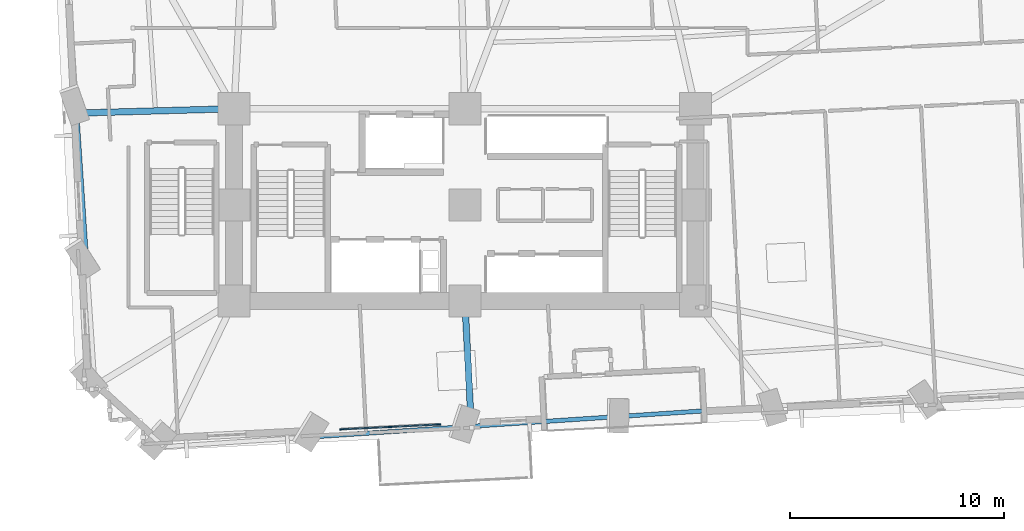
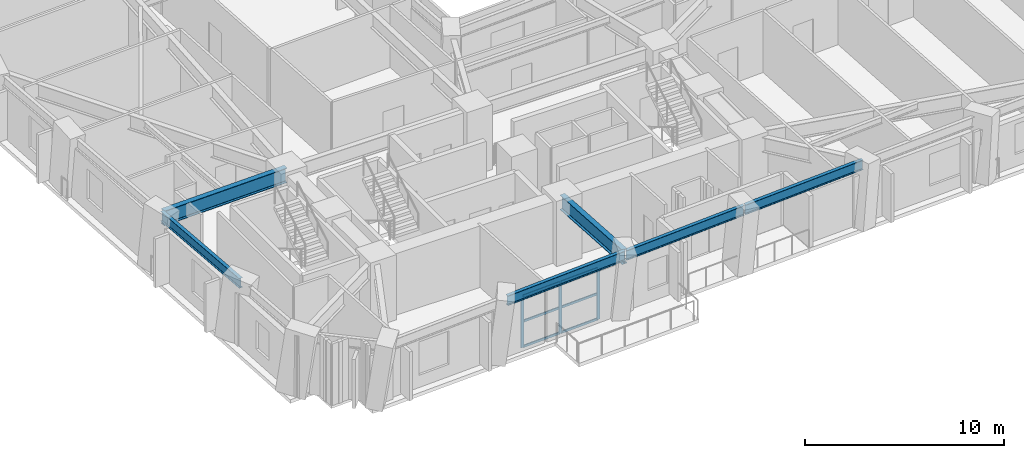
# One storey, part 2 of 15: 9 members, 6 beams, 1 element without a shape of its own.
"""IFC4 building model written with IfcOpenShell, lengths in metres."""

from ifc_helpers import new_model, si_unit, direction, frame, origin, origin_2d, place, context, subcontext, project, spatial, rectangle, i_section, extrude, material, material_profile, profile_set, type_object, element, aggregate, save


model = new_model("IFC4")

# Units and contexts
model_context = context("Model", 3, precision=1e-05, world=origin(), true_north=direction((0.0, 1.0)))
body_context = subcontext(model_context, "Body", "Model", "MODEL_VIEW")
ifc_project = project(units=[si_unit("LENGTHUNIT", "METRE"), si_unit("AREAUNIT", "SQUARE_METRE"), si_unit("VOLUMEUNIT", "CUBIC_METRE"), si_unit("PLANEANGLEUNIT", "RADIAN"), si_unit("MASSUNIT", "GRAM", prefix="KILO")], contexts=[model_context])

# Site, building, storey
site_placement = place(None, origin())
site = spatial("IfcSite", under=ifc_project, at=site_placement, CompositionType="ELEMENT")
building_placement = place(site_placement, origin())
building = spatial("IfcBuilding", under=site, at=building_placement, Name="Gaonmaruhae Medical Tower", CompositionType="ELEMENT")
storey_placement = place(building_placement, frame((0.0, 0.0, 35.0)))
storey = spatial("IfcBuildingStorey", under=building, at=storey_placement, Name="L07", CompositionType="ELEMENT", Elevation=35.0)

# Curtain wall, members
ifc_material_1 = material(Name="Anodised aluminium and Low-E double glazing", Category="aluminium")
curtain_wall_type = type_object("IfcCurtainWallType", Name="CW-S3 Spiralling Dayroom Ribbon Curtain Wall", PredefinedType="NOTDEFINED", material=ifc_material_1)
curtain_wall_placement = place(storey_placement, origin())
curtain_wall = element("IfcCurtainWall", 1, at=curtain_wall_placement, inside=storey, type_object=curtain_wall_type, Name="L07 Curtain Wall CW-L07-S02", PredefinedType="NOTDEFINED")
ifc_material_2 = material(Name="Anodised aluminium 6063-T6", Category="aluminium")
ifc_material_profile_1 = material_profile(ifc_material_2, rectangle(XDim=0.06494140625, YDim=0.179931640625, at=origin_2d()), Name="CWM-65x180")
ifc_profile_set_1 = profile_set([ifc_material_profile_1], Name="Anodised aluminium 6063-T6")
member_type_1 = type_object("IfcMemberType", Name="CWM-2 Tower Feature Curtain Wall Mullion (CWM-65x180)", PredefinedType="MULLION", material=ifc_profile_set_1)
member_1_placement = place(storey_placement, frame((23.577392578125, 2.0234375, 0.0), z_axis=(0.0, 0.0, 1.0), x_axis=(0.049718181949, -0.998763286462, 0.0)))
member_1 = element("IfcMember", 2, at=member_1_placement, type_object=member_type_1, Name="CW-S3 mullion 1", PredefinedType="MULLION", context=body_context, shape_type="SweptSolid", body=[
    extrude(rectangle(XDim=0.06494140625, YDim=0.179931640625, at=origin_2d()), origin(), (0.0, 0.0, 1.0), 3.1650390625),
])
member_2_placement = place(storey_placement, frame((21.3056640625, 1.910400390625, 0.0), z_axis=(0.0, 0.0, 1.0), x_axis=(0.049718181949, -0.998763286462, 0.0)))
member_2 = element("IfcMember", 3, at=member_2_placement, type_object=member_type_1, Name="CW-S3 mullion 2", PredefinedType="MULLION", context=body_context, shape_type="SweptSolid", body=[
    extrude(rectangle(XDim=0.06494140625, YDim=0.179931640625, at=origin_2d()), origin(), (0.0, 0.0, 1.0), 3.1650390625),
])
member_3_placement = place(storey_placement, frame((19.0341796875, 1.79736328125, 0.0), z_axis=(0.0, 0.0, 1.0), x_axis=(0.049718181949, -0.998763286462, 0.0)))
member_3 = element("IfcMember", 4, at=member_3_placement, type_object=member_type_1, Name="CW-S3 mullion 3", PredefinedType="MULLION", context=body_context, shape_type="SweptSolid", body=[
    extrude(rectangle(XDim=0.06494140625, YDim=0.179931640625, at=origin_2d()), origin(), (0.0, 0.0, 1.0), 3.1650390625),
])
ifc_material_profile_2 = material_profile(ifc_material_2, rectangle(XDim=0.06494140625, YDim=0.139892578125, at=origin_2d()), Name="CWT-65x140")
ifc_profile_set_2 = profile_set([ifc_material_profile_2], Name="Anodised aluminium 6063-T6")
member_type_2 = type_object("IfcMemberType", Name="CWT-2 Tower Feature Curtain Wall Transom (CWT-65x140)", PredefinedType="USERDEFINED", material=ifc_profile_set_2)
member_4_placement = place(storey_placement, frame((23.544921875, 2.02197265625, 0.032470703125), z_axis=(-0.998763062135, -0.049722688125, 0.0), x_axis=(0.049722688125, -0.998763062135, 0.0)))
member_4 = element("IfcMember", 5, at=member_4_placement, type_object=member_type_2, Name="CW-S3 transom 1.1", ObjectType="TRANSOM", PredefinedType="USERDEFINED", context=body_context, shape_type="SweptSolid", body=[
    extrude(rectangle(XDim=0.06494140625, YDim=0.139892578125, at=origin_2d()), origin(), (0.0, 0.0, 1.0), 2.20947265625),
])
member_5_placement = place(storey_placement, frame((23.544921875, 2.02197265625, 1.58251953125), z_axis=(-0.998763062135, -0.049722688125, 0.0), x_axis=(0.049722688125, -0.998763062135, 0.0)))
member_5 = element("IfcMember", 6, at=member_5_placement, type_object=member_type_2, Name="CW-S3 transom 1.2", ObjectType="TRANSOM", PredefinedType="USERDEFINED", context=body_context, shape_type="SweptSolid", body=[
    extrude(rectangle(XDim=0.06494140625, YDim=0.139892578125, at=origin_2d()), origin(), (0.0, 0.0, 1.0), 2.20947265625),
])
member_6_placement = place(storey_placement, frame((23.544921875, 2.02197265625, 3.132568359375), z_axis=(-0.998763062135, -0.049722688125, 0.0), x_axis=(0.049722688125, -0.998763062135, 0.0)))
member_6 = element("IfcMember", 7, at=member_6_placement, type_object=member_type_2, Name="CW-S3 transom 1.3", ObjectType="TRANSOM", PredefinedType="USERDEFINED", context=body_context, shape_type="SweptSolid", body=[
    extrude(rectangle(XDim=0.06494140625, YDim=0.139892578125, at=origin_2d()), origin(), (0.0, 0.0, 1.0), 2.20947265625),
])
member_7_placement = place(storey_placement, frame((21.273193359375, 1.90869140625, 0.032470703125), z_axis=(-0.998763062135, -0.049722688125, 0.0), x_axis=(0.049722688125, -0.998763062135, 0.0)))
member_7 = element("IfcMember", 8, at=member_7_placement, type_object=member_type_2, Name="CW-S3 transom 2.1", ObjectType="TRANSOM", PredefinedType="USERDEFINED", context=body_context, shape_type="SweptSolid", body=[
    extrude(rectangle(XDim=0.06494140625, YDim=0.139892578125, at=origin_2d()), origin(), (0.0, 0.0, 1.0), 2.20947265625),
])
member_8_placement = place(storey_placement, frame((21.273193359375, 1.90869140625, 1.58251953125), z_axis=(-0.998763062135, -0.049722688125, 0.0), x_axis=(0.049722688125, -0.998763062135, 0.0)))
member_8 = element("IfcMember", 9, at=member_8_placement, type_object=member_type_2, Name="CW-S3 transom 2.2", ObjectType="TRANSOM", PredefinedType="USERDEFINED", context=body_context, shape_type="SweptSolid", body=[
    extrude(rectangle(XDim=0.06494140625, YDim=0.139892578125, at=origin_2d()), origin(), (0.0, 0.0, 1.0), 2.20947265625),
])
member_9_placement = place(storey_placement, frame((21.273193359375, 1.90869140625, 3.132568359375), z_axis=(-0.998763062135, -0.049722688125, 0.0), x_axis=(0.049722688125, -0.998763062135, 0.0)))
member_9 = element("IfcMember", 10, at=member_9_placement, type_object=member_type_2, Name="CW-S3 transom 2.3", ObjectType="TRANSOM", PredefinedType="USERDEFINED", context=body_context, shape_type="SweptSolid", body=[
    extrude(rectangle(XDim=0.06494140625, YDim=0.139892578125, at=origin_2d()), origin(), (0.0, 0.0, 1.0), 2.20947265625),
])
aggregate(curtain_wall, [member_1, member_2, member_3, member_4, member_5, member_6, member_7, member_8, member_9])

# Beams
ifc_material_3 = material(Name="Steel SM420", Category="steel")
ifc_material_profile_3 = material_profile(ifc_material_3, i_section(OverallWidth=0.300048828125, OverallDepth=0.89990234375, WebThickness=0.01611328125, FlangeThickness=0.028076171875, FilletRadius=0.01806640625, at=origin_2d()), Name="H-900x300x16x28")
ifc_profile_set_3 = profile_set([ifc_material_profile_3], Name="Steel SM420")
beam_type_1 = type_object("IfcBeamType", Name="PG-01 Zone 1 Radial Floor Girder (H-900x300x16x28)", PredefinedType="BEAM", material=ifc_profile_set_3)
beam_1_placement = place(storey_placement, frame((24.802490234375, 7.75, 3.330078125), z_axis=(0.050509380424, -0.998723586629, 0.0), x_axis=(0.998723586629, 0.050509380424, 0.0)))
element("IfcBeam", 11, at=beam_1_placement, inside=storey, type_object=beam_type_1, Name="L07 Radial Primary Girder S03", PredefinedType="BEAM", context=body_context, shape_type="SweptSolid", body=[
    extrude(i_section(OverallWidth=0.300048828125, OverallDepth=0.89990234375, WebThickness=0.01611328125, FlangeThickness=0.028076171875, FilletRadius=0.01806640625, at=origin_2d()), origin(), (0.0, 0.0, 1.0), 5.771240234375),
])
beam_2_placement = place(storey_placement, frame((13.949951171875, 16.798583984375, 3.330078125), z_axis=(-0.999612216146, -0.027846316314, 0.0), x_axis=(0.027846316314, -0.999612216146, 0.0)))
element("IfcBeam", 12, at=beam_2_placement, inside=storey, type_object=beam_type_1, Name="L07 Radial Primary Girder W05", PredefinedType="BEAM", context=body_context, shape_type="SweptSolid", body=[
    extrude(i_section(OverallWidth=0.300048828125, OverallDepth=0.89990234375, WebThickness=0.01611328125, FlangeThickness=0.028076171875, FilletRadius=0.01806640625, at=origin_2d()), origin(), (0.0, 0.0, 1.0), 7.268310546875),
])
ifc_material_4 = material(Name="Steel SM355", Category="steel")
ifc_material_profile_4 = material_profile(ifc_material_4, i_section(OverallWidth=0.199951171875, OverallDepth=0.60009765625, WebThickness=0.010986328125, FlangeThickness=0.01708984375, FilletRadius=0.012939453125, at=origin_2d()), Name="H-600x200x11x17")
ifc_profile_set_4 = profile_set([ifc_material_profile_4], Name="Steel SM355")
beam_type_2 = type_object("IfcBeamType", Name="SP-01 Lower Perimeter Spandrel Beam (H-600x200x11x17)", PredefinedType="SPANDREL", material=ifc_profile_set_4)
for number, where, z_axis, x_axis, name in (
    (13, (17.952392578125, 1.461669921875, 3.47998046875), (0.997800909192, 0.066282317518, 0.0), (-0.066282317518, 0.997800909192, 0.0), "L07 Perimeter Spandrel Beam S02-S03"),
    (14, (25.136474609375, 1.938720703125, 3.4599609375), (0.997800909192, 0.066282317518, 0.0), (-0.066282317518, 0.997800909192, 0.0), "L07 Perimeter Spandrel Beam S03-S04"),
):
    element("IfcBeam", number, at=place(storey_placement, frame(where, z_axis=z_axis, x_axis=x_axis)), inside=storey, type_object=beam_type_2, Name=name, PredefinedType="SPANDREL", context=body_context, shape_type="SweptSolid", body=[
        extrude(i_section(OverallWidth=0.199951171875, OverallDepth=0.60009765625, WebThickness=0.010986328125, FlangeThickness=0.01708984375, FilletRadius=0.012939453125, at=origin_2d()), origin(), (0.0, 0.0, 1.0), 7.119873046875),
    ])
beam_3_placement = place(storey_placement, frame((32.320556640625, 2.416015625, 3.4599609375), z_axis=(0.997801059832, 0.066280049782, 0.0), x_axis=(-0.066280049782, 0.997801059832, 0.0)))
element("IfcBeam", 15, at=beam_3_placement, inside=storey, type_object=beam_type_2, Name="L07 Perimeter Spandrel Beam S04-S05", PredefinedType="SPANDREL", context=body_context, shape_type="SweptSolid", body=[
    extrude(i_section(OverallWidth=0.199951171875, OverallDepth=0.60009765625, WebThickness=0.010986328125, FlangeThickness=0.01708984375, FilletRadius=0.012939453125, at=origin_2d()), origin(), (0.0, 0.0, 1.0), 7.1201171875),
])
beam_4_placement = place(storey_placement, frame((6.63720703125, 16.554931640625, 3.47998046875), z_axis=(0.066282317518, -0.997800909192, 0.0), x_axis=(0.997800909192, 0.066282317518, 0.0)))
element("IfcBeam", 16, at=beam_4_placement, inside=storey, type_object=beam_type_2, Name="L07 Perimeter Spandrel Beam W05-W06", PredefinedType="SPANDREL", context=body_context, shape_type="SweptSolid", body=[
    extrude(i_section(OverallWidth=0.199951171875, OverallDepth=0.60009765625, WebThickness=0.010986328125, FlangeThickness=0.01708984375, FilletRadius=0.012939453125, at=origin_2d()), origin(), (0.0, 0.0, 1.0), 7.119873046875),
])

save(model, "model.ifc")
